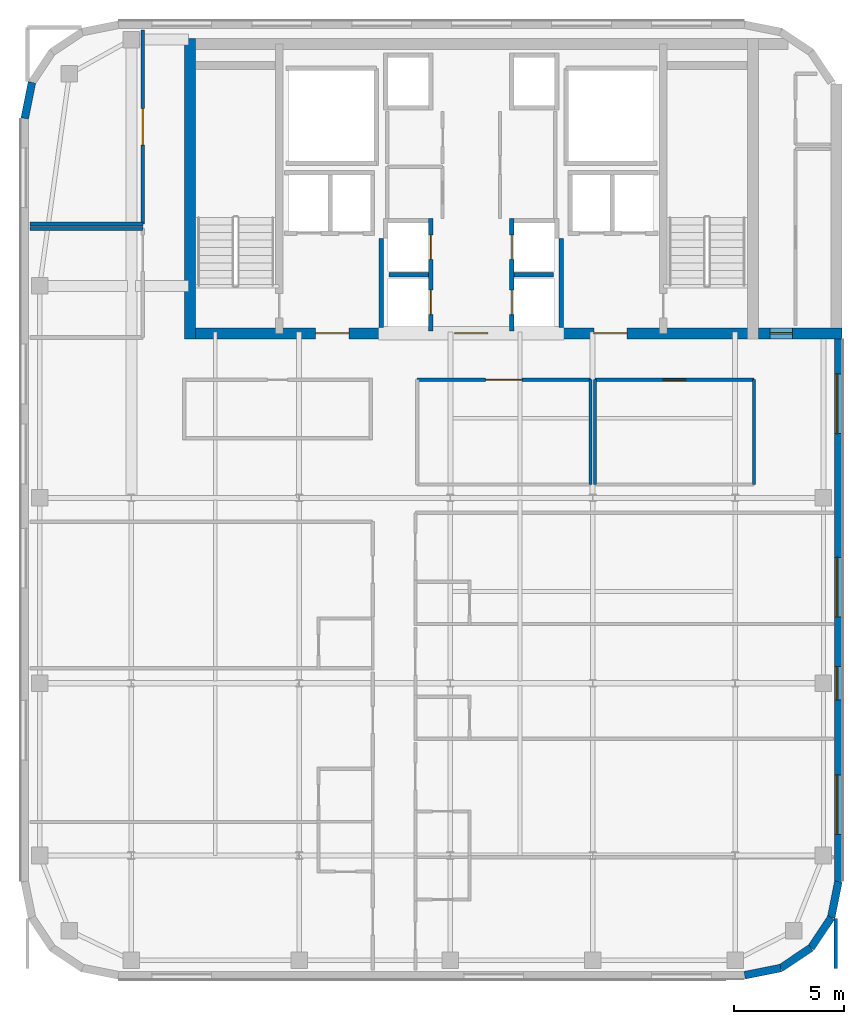
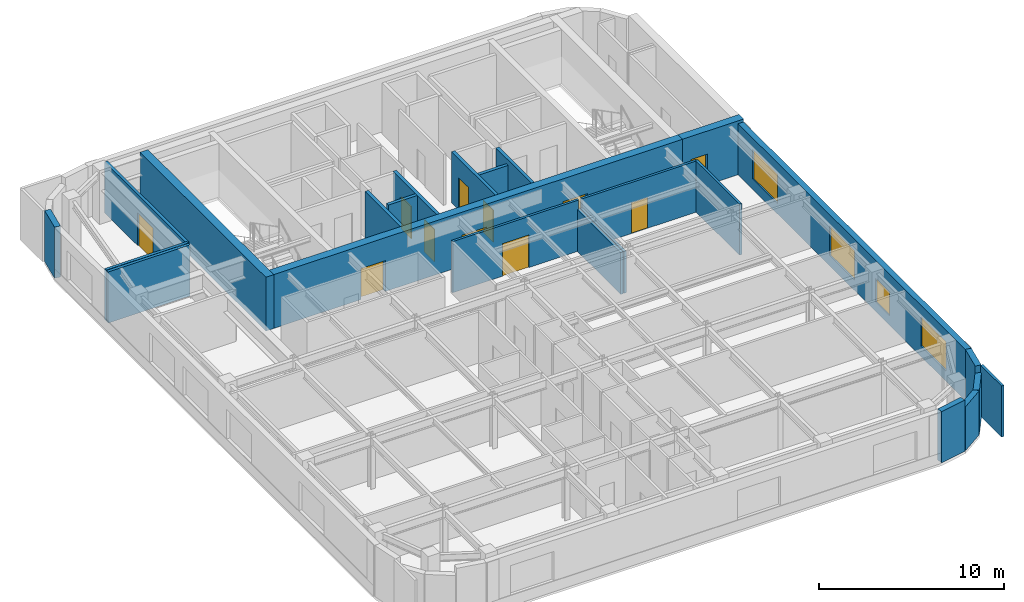
# One storey, part 5 of 11: 24 walls, 11 doors, 4 windows, 15 openings.
"""IFC4 building model written with IfcOpenShell, lengths in metres."""

from ifc_helpers import new_model, si_unit, direction, frame, frame_2d, origin, place, context, subcontext, project, spatial, rectangle, extrude, source, transform, mapped, material, layer, layer_set, type_object, type_shapes, element, fill, save


model = new_model("IFC4")

# Units and contexts
model_context = context("Model", 3, precision=1e-05, world=origin(), true_north=direction((0.0, 1.0)))
body_context = subcontext(model_context, "Body", "Model", "MODEL_VIEW")
ifc_project = project(units=[si_unit("LENGTHUNIT", "METRE"), si_unit("AREAUNIT", "SQUARE_METRE"), si_unit("VOLUMEUNIT", "CUBIC_METRE"), si_unit("PLANEANGLEUNIT", "RADIAN"), si_unit("MASSUNIT", "GRAM", prefix="KILO")], contexts=[model_context])

# Site, building, storey
site_placement = place(None, origin())
site = spatial("IfcSite", under=ifc_project, at=site_placement, CompositionType="ELEMENT")
building_placement = place(site_placement, origin())
building = spatial("IfcBuilding", under=site, at=building_placement, Name="Tolvann Quenvar Hotel", CompositionType="ELEMENT")
storey_placement = place(building_placement, frame((0.0, 0.0, 234.550048828125)))
storey = spatial("IfcBuildingStorey", under=building, at=storey_placement, Name="L62", CompositionType="ELEMENT", Elevation=234.550048828125)

# Wall, openings, doors
ifc_material_1 = material(Name="Concrete N50 (50 MPa)", Category="concrete")
ifc_layer_1 = layer(ifc_material_1, 0.5)
ifc_layer_set_1 = layer_set([ifc_layer_1], Name="Concrete N50 (50 MPa)")
wall_type_1 = type_object("IfcWallType", Name="WALL_CORE_500", PredefinedType="SHEAR", material=ifc_layer_set_1)
wall_1_placement = place(storey_placement, frame((10.0, 31.85009765625, 0.0), z_axis=(0.0, 0.0, 1.0), x_axis=(1.0, 0.0, 0.0)))
wall_1 = element("IfcWall", 1, at=wall_1_placement, inside=storey, type_object=wall_type_1, Name="Rear Core S Shear Wall (L62)", PredefinedType="SHEAR", context=body_context, shape_type="SweptSolid", body=[
    extrude(rectangle(XDim=26.0, YDim=0.5, at=frame_2d((13.0, 0.0))), origin(), (0.0, 0.0, 1.0), 3.550048828125),
])
opening_1_placement = place(wall_1_placement, frame((7.449951171875, 0.0, 0.0), z_axis=(0.0, 0.0, 1.0), x_axis=(-1.0, 0.0, 0.0)))
opening_1 = element("IfcOpeningElement", 2, at=opening_1_placement, cuts=wall_1, Name="Opening FD-60D", PredefinedType="OPENING", context=body_context, shape_type="SweptSolid", body=[
    extrude(rectangle(XDim=1.5, YDim=2.0400390625, at=frame_2d((0.75, 1.02001953125))), frame((0.0, 0.260009765625, 0.0), z_axis=(0.0, -1.0, 0.0), x_axis=(1.0, 0.0, 0.0)), (0.0, 0.0, 1.0), 0.52001953125),
])
opening_2_placement = place(wall_1_placement, frame((13.75, 0.0, 0.0), z_axis=(0.0, 0.0, 1.0), x_axis=(-1.0, 0.0, 0.0)))
opening_2 = element("IfcOpeningElement", 3, at=opening_2_placement, cuts=wall_1, Name="Opening FD-60D", PredefinedType="OPENING", context=body_context, shape_type="SweptSolid", body=[
    extrude(rectangle(XDim=1.5, YDim=2.0400390625, at=frame_2d((0.75, 1.02001953125))), frame((0.0, 0.260009765625, 0.0), z_axis=(0.0, -1.0, 0.0), x_axis=(1.0, 0.0, 0.0)), (0.0, 0.0, 1.0), 0.52001953125),
])
opening_3_placement = place(wall_1_placement, frame((20.050048828125, 0.0, 0.0), z_axis=(0.0, 0.0, 1.0), x_axis=(-1.0, 0.0, 0.0)))
opening_3 = element("IfcOpeningElement", 4, at=opening_3_placement, cuts=wall_1, Name="Opening FD-60D", PredefinedType="OPENING", context=body_context, shape_type="SweptSolid", body=[
    extrude(rectangle(XDim=1.5, YDim=2.0400390625, at=frame_2d((0.75, 1.02001953125))), frame((0.0, 0.260009765625, 0.0), z_axis=(0.0, -1.0, 0.0), x_axis=(1.0, 0.0, 0.0)), (0.0, 0.0, 1.0), 0.52001953125),
])
ifc_material_2 = material(Name="Solid-core American oak acoustic fire door leaf in steel frame", Category="steel")
door_type_1 = type_object("IfcDoorType", Name="DOOR_FIRE_LOBBY_1500", OperationType="NOTDEFINED", PredefinedType="DOOR", material=ifc_material_2)
shared_shape_1 = source(origin(), body_context, "Body", "SweptSolid", [
    extrude(rectangle(XDim=1.5, YDim=2.0400390625, at=frame_2d((0.75, 1.02001953125))), frame((0.0, 0.02490234375, 0.0), z_axis=(0.0, -1.0, 0.0), x_axis=(1.0, 0.0, 0.0)), (0.0, 0.0, 1.0), 0.050048828125),
])
type_shapes(door_type_1, [shared_shape_1])
door_1_placement = place(opening_1_placement, origin())
door_1 = element("IfcDoor", 5, at=door_1_placement, inside=storey, type_object=door_type_1, Name="Core Lobby Fire Door FFW (L62)", OperationType="DOUBLE_DOOR_SINGLE_SWING", OverallHeight=2.0400390625, OverallWidth=1.5, PredefinedType="DOOR", context=body_context, shape_type="MappedRepresentation", body=[
    mapped(shared_shape_1, transform((0.0, 0.0, 0.0), x_axis=(1.0, 0.0, 0.0), y_axis=(0.0, 1.0, 0.0), z_axis=(0.0, 0.0, 1.0), scale=1.0)),
])
fill(opening_1, door_1)
door_2_placement = place(opening_2_placement, origin())
door_2 = element("IfcDoor", 6, at=door_2_placement, inside=storey, type_object=door_type_1, Name="Core Lobby Fire Door CLOB (L62)", OperationType="DOUBLE_DOOR_SINGLE_SWING", OverallHeight=2.0400390625, OverallWidth=1.5, PredefinedType="DOOR", context=body_context, shape_type="MappedRepresentation", body=[
    mapped(shared_shape_1, transform((0.0, 0.0, 0.0), x_axis=(1.0, 0.0, 0.0), y_axis=(0.0, 1.0, 0.0), z_axis=(0.0, 0.0, 1.0), scale=1.0)),
])
fill(opening_2, door_2)
door_3_placement = place(opening_3_placement, origin())
door_3 = element("IfcDoor", 7, at=door_3_placement, inside=storey, type_object=door_type_1, Name="Core Lobby Fire Door FFE (L62)", OperationType="DOUBLE_DOOR_SINGLE_SWING", OverallHeight=2.0400390625, OverallWidth=1.5, PredefinedType="DOOR", context=body_context, shape_type="MappedRepresentation", body=[
    mapped(shared_shape_1, transform((0.0, 0.0, 0.0), x_axis=(1.0, 0.0, 0.0), y_axis=(0.0, 1.0, 0.0), z_axis=(0.0, 0.0, 1.0), scale=1.0)),
])
fill(opening_3, door_3)

# Wall
wall_2_placement = place(storey_placement, frame((10.25, 31.60009765625, 0.0), z_axis=(0.0, 0.0, 1.0), x_axis=(0.0, 1.0, 0.0)))
element("IfcWall", 8, at=wall_2_placement, inside=storey, type_object=wall_type_1, Name="Rear Core W Shear Wall (L62)", PredefinedType="SHEAR", context=body_context, shape_type="SweptSolid", body=[
    extrude(rectangle(XDim=13.599853515625, YDim=0.5, at=frame_2d((6.7998046875, 0.0))), origin(), (0.0, 0.0, 1.0), 3.550048828125),
])

# Wall, opening, door
wall_3_placement = place(storey_placement, frame((36.0, 31.85009765625, 0.0), z_axis=(0.0, 0.0, 1.0), x_axis=(1.0, 0.0, 0.0)))
wall_3 = element("IfcWall", 9, at=wall_3_placement, inside=storey, type_object=wall_type_1, Name="Core East Annex Shear Wall ANN-S (L62)", PredefinedType="SHEAR", context=body_context, shape_type="SweptSolid", body=[
    extrude(rectangle(XDim=3.800048828125, YDim=0.5, at=frame_2d((1.89990234375, 0.0))), origin(), (0.0, 0.0, 1.0), 3.550048828125),
])
opening_4_placement = place(wall_3_placement, frame((1.5400390625, 0.0, 0.0), z_axis=(0.0, 0.0, 1.0), x_axis=(-1.0, 0.0, 0.0)))
opening_4 = element("IfcOpeningElement", 10, at=opening_4_placement, cuts=wall_3, Name="Opening HD-01", PredefinedType="OPENING", context=body_context, shape_type="SweptSolid", body=[
    extrude(rectangle(XDim=1.02001953125, YDim=2.030029296875, at=frame_2d((0.510009765625, 1.01513671875))), frame((0.0, 0.260009765625, 0.0), z_axis=(0.0, -1.0, 0.0), x_axis=(1.0, 0.0, 0.0)), (0.0, 0.0, 1.0), 0.52001953125),
])
ifc_material_3 = material(Name="Pressed galvanised steel fire-rated door set", Category="steel")
door_type_2 = type_object("IfcDoorType", Name="DOOR_BOH_1020", OperationType="NOTDEFINED", PredefinedType="DOOR", material=ifc_material_3)
shared_shape_2 = source(origin(), body_context, "Body", "SweptSolid", [
    extrude(rectangle(XDim=1.02001953125, YDim=2.030029296875, at=frame_2d((0.510009765625, 1.01513671875))), frame((0.0, 0.02490234375, 0.0), z_axis=(0.0, -1.0, 0.0), x_axis=(1.0, 0.0, 0.0)), (0.0, 0.0, 1.0), 0.050048828125),
])
type_shapes(door_type_2, [shared_shape_2])
door_4_placement = place(opening_4_placement, origin())
door_4 = element("IfcDoor", 11, at=door_4_placement, inside=storey, type_object=door_type_2, Name="Housekeeping Annex Fire Door (L62)", OperationType="SINGLE_SWING_LEFT", OverallHeight=2.030029296875, OverallWidth=1.02001953125, PredefinedType="DOOR", context=body_context, shape_type="MappedRepresentation", body=[
    mapped(shared_shape_2, transform((0.0, 0.0, 0.0), x_axis=(1.0, 0.0, 0.0), y_axis=(0.0, 1.0, 0.0), z_axis=(0.0, 0.0, 1.0), scale=1.0)),
])
fill(opening_4, door_4)

# Walls
ifc_material_4 = material(Name="Kiln-fired red and buff architectural clay brickwork and terracotta masonry", Category="masonry")
ifc_layer_2 = layer(ifc_material_4, 0.35009765625)
ifc_layer_set_2 = layer_set([ifc_layer_2], Name="Kiln-fired red and buff architectural clay brickwork and terracotta masonry")
wall_type_2 = type_object("IfcWallType", Name="WALL_EXT_BRICK_350", PredefinedType="SOLIDWALL", material=ifc_layer_set_2)
wall_4_placement = place(storey_placement, frame((35.3828125, 2.77490234375, 0.0), z_axis=(0.0, 0.0, 1.0), x_axis=(0.980788844421, 0.195072403631, 0.0)))
element("IfcWall", 12, at=wall_4_placement, inside=storey, type_object=wall_type_2, Name="Exterior Chicago Brick Wall L62-E05", PredefinedType="SOLIDWALL", context=body_context, shape_type="SweptSolid", body=[
    extrude(rectangle(XDim=1.66455078125, YDim=0.35009765625, at=frame_2d((0.832275390625, 0.0))), origin(), (0.0, 0.0, 1.0), 3.369873046875),
])
for number, where, z_axis, x_axis, name in (
    (13, (37.015380859375, 3.099609375, 0.0), (0.0, 0.0, 1.0), (0.831434158098, 0.555623290322, 0.0), "Exterior Chicago Brick Wall L62-E06"),
    (14, (38.385009765625, 4.014892578125, 0.0), (0.0, 0.0, 1.0), (0.555623290322, 0.831434158098, 0.0), "Exterior Chicago Brick Wall L62-E07"),
):
    element("IfcWall", number, at=place(storey_placement, frame(where, z_axis=z_axis, x_axis=x_axis)), inside=storey, type_object=wall_type_2, Name=name, PredefinedType="SOLIDWALL", context=body_context, shape_type="SweptSolid", body=[
        extrude(rectangle(XDim=1.647216796875, YDim=0.35009765625, at=frame_2d((0.82373046875, 0.0))), origin(), (0.0, 0.0, 1.0), 2.89990234375),
    ])
wall_5_placement = place(storey_placement, frame((39.30029296875, 5.384521484375, 0.0), z_axis=(0.0, 0.0, 1.0), x_axis=(0.195072403631, 0.980788844421, 0.0)))
element("IfcWall", 15, at=wall_5_placement, inside=storey, type_object=wall_type_2, Name="Exterior Chicago Brick Wall L62-E08", PredefinedType="SOLIDWALL", context=body_context, shape_type="SweptSolid", body=[
    extrude(rectangle(XDim=1.66455078125, YDim=0.35009765625, at=frame_2d((0.832275390625, 0.0))), origin(), (0.0, 0.0, 1.0), 3.369873046875),
])

# Wall, openings, windows
wall_6_placement = place(storey_placement, frame((39.625, 7.01708984375, 0.0), z_axis=(0.0, 0.0, 1.0), x_axis=(0.0, 1.0, 0.0)))
wall_6 = element("IfcWall", 16, at=wall_6_placement, inside=storey, type_object=wall_type_2, Name="Exterior Chicago Brick Wall L62-E09", PredefinedType="SOLIDWALL", context=body_context, shape_type="SweptSolid", body=[
    extrude(rectangle(XDim=24.578857421875, YDim=0.35009765625, at=frame_2d((12.28955078125, 0.0))), origin(), (0.0, 0.0, 1.0), 3.369873046875),
])
opening_5_placement = place(wall_6_placement, frame((2.137939453125, 0.0, 0.679931640625)))
opening_5 = element("IfcOpeningElement", 17, at=opening_5_placement, cuts=wall_6, Name="Opening W-04", PredefinedType="OPENING", context=body_context, shape_type="SweptSolid", body=[
    extrude(rectangle(XDim=2.699951171875, YDim=1.949951171875, at=frame_2d((1.35009765625, 0.97509765625))), frame((0.0, 0.18505859375, 0.0), z_axis=(0.0, -1.0, 0.0), x_axis=(1.0, 0.0, 0.0)), (0.0, 0.0, 1.0), 0.3701171875),
])
opening_6_placement = place(wall_6_placement, frame((11.989013671875, 0.0, 0.679931640625)))
opening_6 = element("IfcOpeningElement", 18, at=opening_6_placement, cuts=wall_6, Name="Opening W-04", PredefinedType="OPENING", context=body_context, shape_type="SweptSolid", body=[
    extrude(rectangle(XDim=2.699951171875, YDim=1.949951171875, at=frame_2d((1.35009765625, 0.97509765625))), frame((0.0, 0.18505859375, 0.0), z_axis=(0.0, -1.0, 0.0), x_axis=(1.0, 0.0, 0.0)), (0.0, 0.0, 1.0), 0.3701171875),
])
opening_7_placement = place(wall_6_placement, frame((20.291015625, 0.0, 0.679931640625)))
opening_7 = element("IfcOpeningElement", 19, at=opening_7_placement, cuts=wall_6, Name="Opening W-04", PredefinedType="OPENING", context=body_context, shape_type="SweptSolid", body=[
    extrude(rectangle(XDim=2.699951171875, YDim=1.949951171875, at=frame_2d((1.35009765625, 0.97509765625))), frame((0.0, 0.18505859375, 0.0), z_axis=(0.0, -1.0, 0.0), x_axis=(1.0, 0.0, 0.0)), (0.0, 0.0, 1.0), 0.3701171875),
])
opening_8_placement = place(wall_6_placement, frame((8.23291015625, 0.0, 0.6201171875)))
opening_8 = element("IfcOpeningElement", 20, at=opening_8_placement, cuts=wall_6, Name="Opening W-08", PredefinedType="OPENING", context=body_context, shape_type="SweptSolid", body=[
    extrude(rectangle(XDim=1.5, YDim=1.550048828125, at=frame_2d((0.75, 0.77490234375))), frame((0.0, 0.18505859375, 0.0), z_axis=(0.0, -1.0, 0.0), x_axis=(1.0, 0.0, 0.0)), (0.0, 0.0, 1.0), 0.3701171875),
])
ifc_material_5 = material(Name="Thermally broken bronze-anodised aluminium frame with double low-E glazing", Category="aluminium")
window_type_1 = type_object("IfcWindowType", Name="WIN_COR_1500x2050", PartitioningType="SINGLE_PANEL", PredefinedType="WINDOW", material=ifc_material_5)
shared_shape_3 = source(origin(), body_context, "Body", "SweptSolid", [
    extrude(rectangle(XDim=1.5, YDim=1.550048828125, at=frame_2d((0.75, 0.77490234375))), frame((0.0, 0.090087890625, 0.0), z_axis=(0.0, -1.0, 0.0), x_axis=(1.0, 0.0, 0.0)), (0.0, 0.0, 1.0), 0.06005859375),
])
type_shapes(window_type_1, [shared_shape_3])
window_1_placement = place(opening_8_placement, origin())
window_1 = element("IfcWindow", 21, at=window_1_placement, inside=storey, type_object=window_type_1, Name="Chicago Window W-08 (EW-L62-E09-WD04)", OverallHeight=1.550048828125, OverallWidth=1.5, PartitioningType="SINGLE_PANEL", PredefinedType="WINDOW", context=body_context, shape_type="MappedRepresentation", body=[
    mapped(shared_shape_3, transform((0.0, 0.0, 0.0), x_axis=(1.0, 0.0, 0.0), y_axis=(0.0, 1.0, 0.0), z_axis=(0.0, 0.0, 1.0), scale=1.0)),
])
fill(opening_8, window_1)
window_type_2 = type_object("IfcWindowType", Name="WIN_STE_2700x2150", PartitioningType="TRIPLE_PANEL_HORIZONTAL", PredefinedType="WINDOW", material=ifc_material_5)
shared_shape_4 = source(origin(), body_context, "Body", "SweptSolid", [
    extrude(rectangle(XDim=2.699951171875, YDim=1.949951171875, at=frame_2d((1.35009765625, 0.97509765625))), frame((0.0, 0.090087890625, 0.0), z_axis=(0.0, -1.0, 0.0), x_axis=(1.0, 0.0, 0.0)), (0.0, 0.0, 1.0), 0.06005859375),
])
type_shapes(window_type_2, [shared_shape_4])
window_2_placement = place(opening_5_placement, origin())
window_2 = element("IfcWindow", 22, at=window_2_placement, inside=storey, type_object=window_type_2, Name="Chicago Window W-04 (EW-L62-E09-W01)", OverallHeight=1.949951171875, OverallWidth=2.699951171875, PartitioningType="TRIPLE_PANEL_HORIZONTAL", PredefinedType="WINDOW", context=body_context, shape_type="MappedRepresentation", body=[
    mapped(shared_shape_4, transform((0.0, 0.0, 0.0), x_axis=(1.0, 0.0, 0.0), y_axis=(0.0, 1.0, 0.0), z_axis=(0.0, 0.0, 1.0), scale=1.0)),
])
fill(opening_5, window_2)
window_3_placement = place(opening_6_placement, origin())
window_3 = element("IfcWindow", 23, at=window_3_placement, inside=storey, type_object=window_type_2, Name="Chicago Window W-04 (EW-L62-E09-W02)", OverallHeight=1.949951171875, OverallWidth=2.699951171875, PartitioningType="TRIPLE_PANEL_HORIZONTAL", PredefinedType="WINDOW", context=body_context, shape_type="MappedRepresentation", body=[
    mapped(shared_shape_4, transform((0.0, 0.0, 0.0), x_axis=(1.0, 0.0, 0.0), y_axis=(0.0, 1.0, 0.0), z_axis=(0.0, 0.0, 1.0), scale=1.0)),
])
fill(opening_6, window_3)
window_4_placement = place(opening_7_placement, origin())
window_4 = element("IfcWindow", 24, at=window_4_placement, inside=storey, type_object=window_type_2, Name="Chicago Window W-04 (EW-L62-E09-W03)", OverallHeight=1.949951171875, OverallWidth=2.699951171875, PartitioningType="TRIPLE_PANEL_HORIZONTAL", PredefinedType="WINDOW", context=body_context, shape_type="MappedRepresentation", body=[
    mapped(shared_shape_4, transform((0.0, 0.0, 0.0), x_axis=(1.0, 0.0, 0.0), y_axis=(0.0, 1.0, 0.0), z_axis=(0.0, 0.0, 1.0), scale=1.0)),
])
fill(opening_7, window_4)

# Walls
wall_7_placement = place(storey_placement, frame((3.099609375, 43.215576171875, 0.0), z_axis=(0.0, 0.0, 1.0), x_axis=(-0.195044345786, -0.980794424524, 0.0)))
element("IfcWall", 25, at=wall_7_placement, inside=storey, type_object=wall_type_2, Name="Exterior Chicago Brick Wall L62-E18", PredefinedType="SOLIDWALL", context=body_context, shape_type="SweptSolid", body=[
    extrude(rectangle(XDim=1.664794921875, YDim=0.35009765625, at=frame_2d((0.83251953125, 0.0))), origin(), (0.0, 0.0, 1.0), 3.369873046875),
])
ifc_material_6 = material(Name="Acoustic twin-stud fire-rated gypsum plasterboard partition")
ifc_layer_3 = layer(ifc_material_6, 0.179931640625)
ifc_layer_set_3 = layer_set([ifc_layer_3], Name="Acoustic twin-stud fire-rated gypsum plasterboard partition")
wall_type_3 = type_object("IfcWallType", Name="WALL_PART_ACOUSTIC_180", PredefinedType="PARTITIONING", material=ifc_layer_set_3)
for number, where, z_axis, x_axis, name in (
    (26, (3.0048828125, 36.60009765625, 0.0), (0.0, 0.0, 1.0), (1.0, 0.0, 0.0), "Interior Partition PT-SPC-L62-SAL-N"),
    (27, (3.0048828125, 36.800048828125, 0.0), (0.0, 0.0, 1.0), (1.0, 0.0, 0.0), "Interior Partition PT-SPC-L62-STD-S"),
):
    element("IfcWall", number, at=place(storey_placement, frame(where, z_axis=z_axis, x_axis=x_axis)), inside=storey, type_object=wall_type_3, Name=name, PredefinedType="PARTITIONING", context=body_context, shape_type="SweptSolid", body=[
        extrude(rectangle(XDim=5.115234375, YDim=0.179931640625, at=frame_2d((2.5576171875, 0.0))), origin(), (0.0, 0.0, 1.0), 3.369873046875),
    ])

# Wall, opening, door
wall_8_placement = place(storey_placement, frame((8.1201171875, 36.800048828125, 0.0), z_axis=(0.0, 0.0, 1.0), x_axis=(0.0, 1.0, 0.0)))
wall_8 = element("IfcWall", 28, at=wall_8_placement, inside=storey, type_object=wall_type_3, Name="Interior Partition PT-SPC-L62-STD-E", PredefinedType="PARTITIONING", context=body_context, shape_type="SweptSolid", body=[
    extrude(rectangle(XDim=8.794921875, YDim=0.179931640625, at=frame_2d((4.3974609375, 0.0))), origin(), (0.0, 0.0, 1.0), 3.369873046875),
])
opening_9_placement = place(wall_8_placement, frame((3.572509765625, 0.0, 0.0)))
opening_9 = element("IfcOpeningElement", 29, at=opening_9_placement, cuts=wall_8, Name="Opening AD-01", PredefinedType="OPENING", context=body_context, shape_type="SweptSolid", body=[
    extrude(rectangle(XDim=1.64990234375, YDim=2.14990234375, at=frame_2d((0.824951171875, 1.074951171875))), frame((0.0, 0.10009765625, 0.0), z_axis=(0.0, -1.0, 0.0), x_axis=(1.0, 0.0, 0.0)), (0.0, 0.0, 1.0), 0.199951171875),
])
door_type_3 = type_object("IfcDoorType", Name="DOOR_SALON_1650", OperationType="NOTDEFINED", PredefinedType="DOOR", material=ifc_material_2)
shared_shape_5 = source(origin(), body_context, "Body", "SweptSolid", [
    extrude(rectangle(XDim=1.64990234375, YDim=2.14990234375, at=frame_2d((0.824951171875, 1.074951171875))), frame((0.0, 0.02490234375, 0.0), z_axis=(0.0, -1.0, 0.0), x_axis=(1.0, 0.0, 0.0)), (0.0, 0.0, 1.0), 0.050048828125),
])
type_shapes(door_type_3, [shared_shape_5])
door_5_placement = place(opening_9_placement, origin())
door_5 = element("IfcDoor", 30, at=door_5_placement, inside=storey, type_object=door_type_3, Name="Interior Door DOOR-SPC-L62-STD", OperationType="DOUBLE_DOOR_SINGLE_SWING", OverallHeight=2.14990234375, OverallWidth=1.64990234375, PredefinedType="DOOR", context=body_context, shape_type="MappedRepresentation", body=[
    mapped(shared_shape_5, transform((0.0, 0.0, 0.0), x_axis=(1.0, 0.0, 0.0), y_axis=(0.0, 1.0, 0.0), z_axis=(0.0, 0.0, 1.0), scale=1.0)),
])
fill(opening_9, door_5)

# Wall
ifc_layer_4 = layer(ifc_material_6, 0.14990234375)
ifc_layer_set_4 = layer_set([ifc_layer_4], Name="Acoustic twin-stud fire-rated gypsum plasterboard partition")
wall_type_4 = type_object("IfcWallType", Name="WALL_PART_SUITE_150", PredefinedType="PARTITIONING", material=ifc_layer_set_4)
wall_9_placement = place(storey_placement, frame((39.5, 3.080078125, 0.0), z_axis=(0.0, 0.0, 1.0), x_axis=(0.0, 1.0, 0.0)))
element("IfcWall", 31, at=wall_9_placement, inside=storey, type_object=wall_type_4, Name="Interior Partition PT-SPC-L62-RM-EO01-E2", PredefinedType="PARTITIONING", context=body_context, shape_type="SweptSolid", body=[
    extrude(rectangle(XDim=2.264892578125, YDim=0.14990234375, at=frame_2d((1.13232421875, 0.0))), origin(), (0.0, 0.0, 1.0), 3.369873046875),
])

# Wall, opening, door
wall_10_placement = place(storey_placement, frame((20.550048828125, 29.75, 0.0), z_axis=(0.0, 0.0, 1.0), x_axis=(1.0, 0.0, 0.0)))
wall_10 = element("IfcWall", 32, at=wall_10_placement, inside=storey, type_object=wall_type_4, Name="Interior Partition PT-SPC-L62-LOUNGE-N", PredefinedType="PARTITIONING", context=body_context, shape_type="SweptSolid", body=[
    extrude(rectangle(XDim=7.849853515625, YDim=0.14990234375, at=frame_2d((3.9248046875, 0.0))), origin(), (0.0, 0.0, 1.0), 3.369873046875),
])
opening_10_placement = place(wall_10_placement, frame((3.10009765625, 0.0, 0.0)))
opening_10 = element("IfcOpeningElement", 33, at=opening_10_placement, cuts=wall_10, Name="Opening AD-01", PredefinedType="OPENING", context=body_context, shape_type="SweptSolid", body=[
    extrude(rectangle(XDim=1.64990234375, YDim=2.14990234375, at=frame_2d((0.824951171875, 1.074951171875))), frame((0.0, 0.0849609375, 0.0), z_axis=(0.0, -1.0, 0.0), x_axis=(1.0, 0.0, 0.0)), (0.0, 0.0, 1.0), 0.169921875),
])
door_6_placement = place(opening_10_placement, origin())
door_6 = element("IfcDoor", 34, at=door_6_placement, inside=storey, type_object=door_type_3, Name="Interior Door DOOR-SPC-L62-LOUNGE", OperationType="DOUBLE_DOOR_SINGLE_SWING", OverallHeight=2.14990234375, OverallWidth=1.64990234375, PredefinedType="DOOR", context=body_context, shape_type="MappedRepresentation", body=[
    mapped(shared_shape_5, transform((0.0, 0.0, 0.0), x_axis=(1.0, 0.0, 0.0), y_axis=(0.0, 1.0, 0.0), z_axis=(0.0, 0.0, 1.0), scale=1.0)),
])
fill(opening_10, door_6)

# Wall
wall_11_placement = place(storey_placement, frame((28.39990234375, 25.0, 0.0), z_axis=(0.0, 0.0, 1.0), x_axis=(0.0, 1.0, 0.0)))
element("IfcWall", 35, at=wall_11_placement, inside=storey, type_object=wall_type_4, Name="Interior Partition PT-SPC-L62-LOUNGE-E", PredefinedType="PARTITIONING", context=body_context, shape_type="SweptSolid", body=[
    extrude(rectangle(XDim=4.75, YDim=0.14990234375, at=frame_2d((2.375, 0.0))), origin(), (0.0, 0.0, 1.0), 2.758056640625),
])

# Wall, opening, door
wall_12_placement = place(storey_placement, frame((28.60009765625, 29.75, 0.0), z_axis=(0.0, 0.0, 1.0), x_axis=(1.0, 0.0, 0.0)))
wall_12 = element("IfcWall", 36, at=wall_12_placement, inside=storey, type_object=wall_type_4, Name="Interior Partition PT-SPC-L62-PNTR-N", PredefinedType="PARTITIONING", context=body_context, shape_type="SweptSolid", body=[
    extrude(rectangle(XDim=7.199951171875, YDim=0.14990234375, at=frame_2d((3.60009765625, 0.0))), origin(), (0.0, 0.0, 1.0), 3.369873046875),
])
opening_11_placement = place(wall_12_placement, frame((3.090087890625, 0.0, 0.0)))
opening_11 = element("IfcOpeningElement", 37, at=opening_11_placement, cuts=wall_12, Name="Opening HD-01", PredefinedType="OPENING", context=body_context, shape_type="SweptSolid", body=[
    extrude(rectangle(XDim=1.02001953125, YDim=2.030029296875, at=frame_2d((0.510009765625, 1.01513671875))), frame((0.0, 0.0849609375, 0.0), z_axis=(0.0, -1.0, 0.0), x_axis=(1.0, 0.0, 0.0)), (0.0, 0.0, 1.0), 0.169921875),
])
door_7_placement = place(opening_11_placement, origin())
door_7 = element("IfcDoor", 38, at=door_7_placement, inside=storey, type_object=door_type_2, Name="Interior Door DOOR-SPC-L62-PNTR", OperationType="SINGLE_SWING_LEFT", OverallHeight=2.030029296875, OverallWidth=1.02001953125, PredefinedType="DOOR", context=body_context, shape_type="MappedRepresentation", body=[
    mapped(shared_shape_2, transform((0.0, 0.0, 0.0), x_axis=(1.0, 0.0, 0.0), y_axis=(0.0, 1.0, 0.0), z_axis=(0.0, 0.0, 1.0), scale=1.0)),
])
fill(opening_11, door_7)

# Walls
wall_13_placement = place(storey_placement, frame((28.60009765625, 25.0, 0.0), z_axis=(0.0, 0.0, 1.0), x_axis=(0.0, 1.0, 0.0)))
element("IfcWall", 39, at=wall_13_placement, inside=storey, type_object=wall_type_4, Name="Interior Partition PT-SPC-L62-PNTR-W", PredefinedType="PARTITIONING", context=body_context, shape_type="SweptSolid", body=[
    extrude(rectangle(XDim=4.75, YDim=0.14990234375, at=frame_2d((2.375, 0.0))), origin(), (0.0, 0.0, 1.0), 2.758056640625),
])
wall_14_placement = place(storey_placement, frame((35.800048828125, 25.0, 0.0), z_axis=(0.0, 0.0, 1.0), x_axis=(0.0, 1.0, 0.0)))
element("IfcWall", 40, at=wall_14_placement, inside=storey, type_object=wall_type_4, Name="Interior Partition PT-SPC-L62-PNTR-E", PredefinedType="PARTITIONING", context=body_context, shape_type="SweptSolid", body=[
    extrude(rectangle(XDim=4.75, YDim=0.14990234375, at=frame_2d((2.375, 0.0))), origin(), (0.0, 0.0, 1.0), 3.369873046875),
])
ifc_material_7 = material(Name="Concrete N40 (40 MPa)", Category="concrete")
ifc_layer_5 = layer(ifc_material_7, 0.199951171875)
ifc_layer_set_5 = layer_set([ifc_layer_5], Name="Concrete N40 (40 MPa)")
wall_type_5 = type_object("IfcWallType", Name="WALL_SHAFT_200", PredefinedType="SOLIDWALL", material=ifc_layer_set_5)
for number, where, z_axis, x_axis, name in (
    (41, (18.919921875, 32.10400390625, 0.0), (0.0, 0.0, 1.0), (0.0, 1.0, 0.0), "Firefighting Lobby W Inner Fire Wall (L62)"),
    (42, (27.080078125, 32.10400390625, 0.0), (0.0, 0.0, 1.0), (0.0, 1.0, 0.0), "Firefighting Lobby E Inner Fire Wall (L62)"),
):
    element("IfcWall", number, at=place(storey_placement, frame(where, z_axis=z_axis, x_axis=x_axis)), inside=storey, type_object=wall_type_5, Name=name, PredefinedType="SOLIDWALL", context=body_context, shape_type="SweptSolid", body=[
        extrude(rectangle(XDim=4.0458984375, YDim=0.199951171875, at=frame_2d((2.02294921875, 0.0))), origin(), (0.0, 0.0, 1.0), 3.369873046875),
    ])

# Wall, openings, doors
wall_15_placement = place(storey_placement, frame((21.169921875, 31.9599609375, 0.0), z_axis=(0.0, 0.0, 1.0), x_axis=(0.0, 1.0, 0.0)))
wall_15 = element("IfcWall", 43, at=wall_15_placement, inside=storey, type_object=wall_type_5, Name="Lift Bank E21.1C1 Hoistway Front Wall (L62)", PredefinedType="SOLIDWALL", context=body_context, shape_type="SweptSolid", body=[
    extrude(rectangle(XDim=5.080078125, YDim=0.199951171875, at=frame_2d((2.5400390625, 0.0))), origin(), (0.0, 0.0, 1.0), 3.369873046875),
])
opening_12_placement = place(wall_15_placement, frame((0.739990234375, 0.0, 0.0)))
opening_12 = element("IfcOpeningElement", 44, at=opening_12_placement, cuts=wall_15, Name="Opening LD-01", PredefinedType="OPENING", context=body_context, shape_type="SweptSolid", body=[
    extrude(rectangle(XDim=1.10009765625, YDim=2.1201171875, at=frame_2d((0.550048828125, 1.06005859375))), frame((0.0, 0.10986328125, 0.0), z_axis=(0.0, -1.0, 0.0), x_axis=(1.0, 0.0, 0.0)), (0.0, 0.0, 1.0), 0.219970703125),
])
opening_13_placement = place(wall_15_placement, frame((3.239990234375, 0.0, 0.0)))
opening_13 = element("IfcOpeningElement", 45, at=opening_13_placement, cuts=wall_15, Name="Opening LD-01", PredefinedType="OPENING", context=body_context, shape_type="SweptSolid", body=[
    extrude(rectangle(XDim=1.10009765625, YDim=2.1201171875, at=frame_2d((0.550048828125, 1.06005859375))), frame((0.0, 0.10986328125, 0.0), z_axis=(0.0, -1.0, 0.0), x_axis=(1.0, 0.0, 0.0)), (0.0, 0.0, 1.0), 0.219970703125),
])
ifc_material_8 = material(Name="Brushed 316 stainless steel automatic sliding lift landing door", Category="steel")
door_type_4 = type_object("IfcDoorType", Name="DOOR_LIFT_SLIDE_1100", OperationType="NOTDEFINED", PredefinedType="DOOR", material=ifc_material_8)
shared_shape_6 = source(origin(), body_context, "Body", "SweptSolid", [
    extrude(rectangle(XDim=1.10009765625, YDim=2.1201171875, at=frame_2d((0.550048828125, 1.06005859375))), frame((0.0, 0.02490234375, 0.0), z_axis=(0.0, -1.0, 0.0), x_axis=(1.0, 0.0, 0.0)), (0.0, 0.0, 1.0), 0.050048828125),
])
type_shapes(door_type_4, [shared_shape_6])
door_8_placement = place(opening_12_placement, origin())
door_8 = element("IfcDoor", 46, at=door_8_placement, inside=storey, type_object=door_type_4, Name="Lift PH-1 Sliding Landing Door (L62)", OperationType="SLIDING_TO_LEFT", OverallHeight=2.1201171875, OverallWidth=1.10009765625, PredefinedType="DOOR", context=body_context, shape_type="MappedRepresentation", body=[
    mapped(shared_shape_6, transform((0.0, 0.0, 0.0), x_axis=(1.0, 0.0, 0.0), y_axis=(0.0, 1.0, 0.0), z_axis=(0.0, 0.0, 1.0), scale=1.0)),
])
fill(opening_12, door_8)
door_9_placement = place(opening_13_placement, origin())
door_9 = element("IfcDoor", 47, at=door_9_placement, inside=storey, type_object=door_type_4, Name="Lift PH-2 Sliding Landing Door (L62)", OperationType="SLIDING_TO_RIGHT", OverallHeight=2.1201171875, OverallWidth=1.10009765625, PredefinedType="DOOR", context=body_context, shape_type="MappedRepresentation", body=[
    mapped(shared_shape_6, transform((0.0, 0.0, 0.0), x_axis=(1.0, 0.0, 0.0), y_axis=(0.0, 1.0, 0.0), z_axis=(0.0, 0.0, 1.0), scale=1.0)),
])
fill(opening_13, door_9)

# Wall
wall_16_placement = place(storey_placement, frame((19.27001953125, 34.5, 0.0), z_axis=(0.0, 0.0, 1.0), x_axis=(1.0, 0.0, 0.0)))
element("IfcWall", 48, at=wall_16_placement, inside=storey, type_object=wall_type_5, Name="Lift Bank E21.1C1 Divider Wall 1 (L62)", PredefinedType="SOLIDWALL", context=body_context, shape_type="SweptSolid", body=[
    extrude(rectangle(XDim=1.800048828125, YDim=0.199951171875, at=frame_2d((0.89990234375, 0.0))), origin(), (0.0, 0.0, 1.0), 3.369873046875),
])

# Wall, openings, doors
wall_17_placement = place(storey_placement, frame((24.830078125, 31.9599609375, 0.0), z_axis=(0.0, 0.0, 1.0), x_axis=(0.0, 1.0, 0.0)))
wall_17 = element("IfcWall", 49, at=wall_17_placement, inside=storey, type_object=wall_type_5, Name="Lift Bank W24.9C1 Hoistway Front Wall (L62)", PredefinedType="SOLIDWALL", context=body_context, shape_type="SweptSolid", body=[
    extrude(rectangle(XDim=5.080078125, YDim=0.199951171875, at=frame_2d((2.5400390625, 0.0))), origin(), (0.0, 0.0, 1.0), 3.369873046875),
])
opening_14_placement = place(wall_17_placement, frame((0.739990234375, 0.0, 0.0)))
opening_14 = element("IfcOpeningElement", 50, at=opening_14_placement, cuts=wall_17, Name="Opening LD-01", PredefinedType="OPENING", context=body_context, shape_type="SweptSolid", body=[
    extrude(rectangle(XDim=1.10009765625, YDim=2.1201171875, at=frame_2d((0.550048828125, 1.06005859375))), frame((0.0, 0.10986328125, 0.0), z_axis=(0.0, -1.0, 0.0), x_axis=(1.0, 0.0, 0.0)), (0.0, 0.0, 1.0), 0.219970703125),
])
opening_15_placement = place(wall_17_placement, frame((3.239990234375, 0.0, 0.0)))
opening_15 = element("IfcOpeningElement", 51, at=opening_15_placement, cuts=wall_17, Name="Opening LD-01", PredefinedType="OPENING", context=body_context, shape_type="SweptSolid", body=[
    extrude(rectangle(XDim=1.10009765625, YDim=2.1201171875, at=frame_2d((0.550048828125, 1.06005859375))), frame((0.0, 0.10986328125, 0.0), z_axis=(0.0, -1.0, 0.0), x_axis=(1.0, 0.0, 0.0)), (0.0, 0.0, 1.0), 0.219970703125),
])
door_10_placement = place(opening_14_placement, origin())
door_10 = element("IfcDoor", 52, at=door_10_placement, inside=storey, type_object=door_type_4, Name="Lift PH-3 Sliding Landing Door (L62)", OperationType="SLIDING_TO_LEFT", OverallHeight=2.1201171875, OverallWidth=1.10009765625, PredefinedType="DOOR", context=body_context, shape_type="MappedRepresentation", body=[
    mapped(shared_shape_6, transform((0.0, 0.0, 0.0), x_axis=(1.0, 0.0, 0.0), y_axis=(0.0, 1.0, 0.0), z_axis=(0.0, 0.0, 1.0), scale=1.0)),
])
fill(opening_14, door_10)
door_11_placement = place(opening_15_placement, origin())
door_11 = element("IfcDoor", 53, at=door_11_placement, inside=storey, type_object=door_type_4, Name="Lift PH-4 Sliding Landing Door (L62)", OperationType="SLIDING_TO_RIGHT", OverallHeight=2.1201171875, OverallWidth=1.10009765625, PredefinedType="DOOR", context=body_context, shape_type="MappedRepresentation", body=[
    mapped(shared_shape_6, transform((0.0, 0.0, 0.0), x_axis=(1.0, 0.0, 0.0), y_axis=(0.0, 1.0, 0.0), z_axis=(0.0, 0.0, 1.0), scale=1.0)),
])
fill(opening_15, door_11)

# Wall
wall_18_placement = place(storey_placement, frame((24.929931640625, 34.5, 0.0), z_axis=(0.0, 0.0, 1.0), x_axis=(1.0, 0.0, 0.0)))
element("IfcWall", 54, at=wall_18_placement, inside=storey, type_object=wall_type_5, Name="Lift Bank W24.9C1 Divider Wall 1 (L62)", PredefinedType="SOLIDWALL", context=body_context, shape_type="SweptSolid", body=[
    extrude(rectangle(XDim=1.800048828125, YDim=0.199951171875, at=frame_2d((0.89990234375, 0.0))), origin(), (0.0, 0.0, 1.0), 3.369873046875),
])

save(model, "model.ifc")
